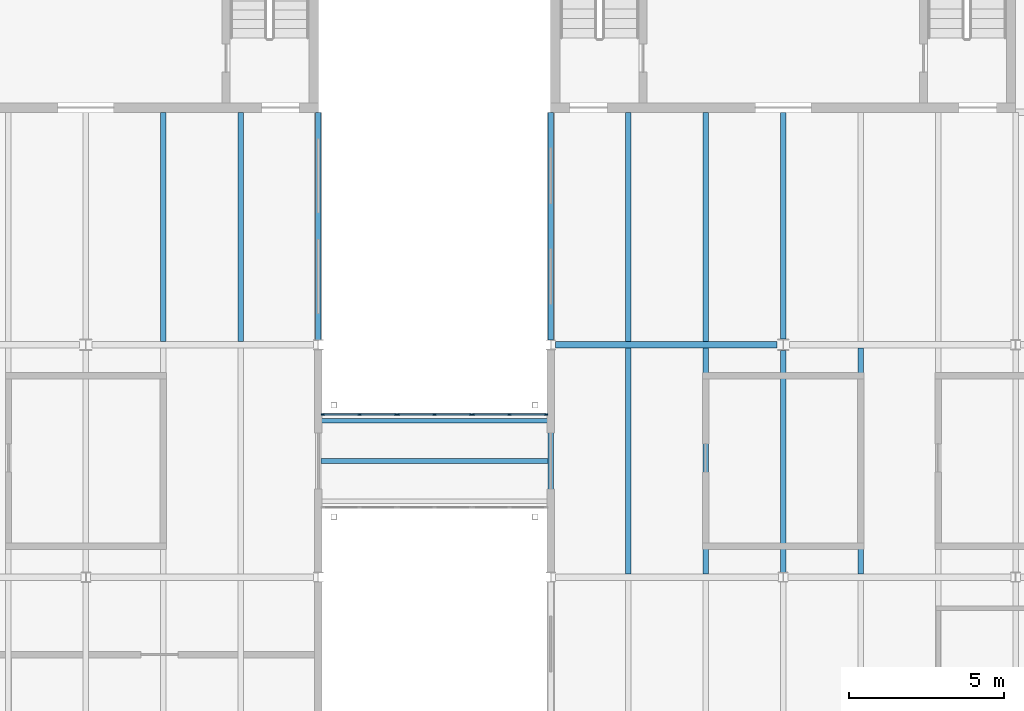
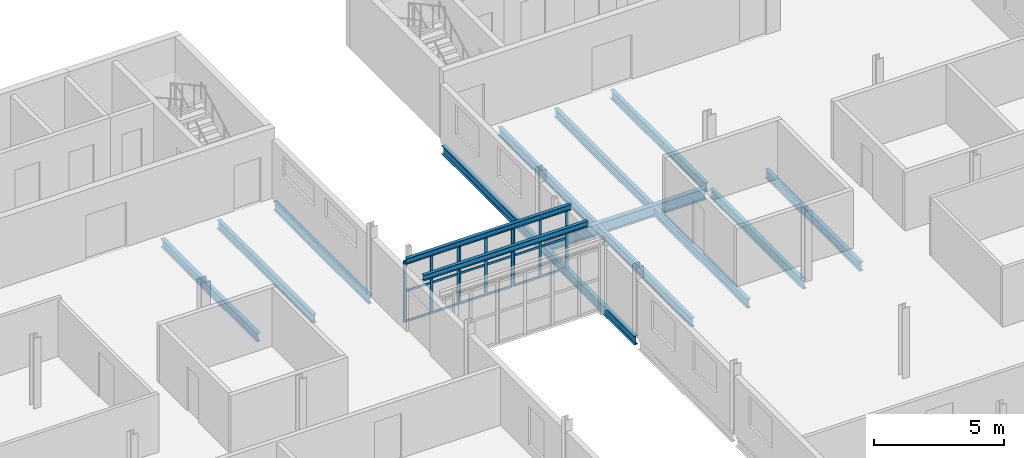
# One storey, part 51 of 214: 27 members, 15 beams, 3 elements without a shape of their own.
"""IFC4 building model written with IfcOpenShell, lengths in metres."""

from ifc_helpers import new_model, si_unit, direction, frame, origin, origin_2d, place, context, subcontext, project, spatial, rectangle, i_section, extrude, material, material_profile, profile_set, type_object, element, aggregate, save


model = new_model("IFC4")

# Units and contexts
model_context = context("Model", 3, precision=1e-05, world=origin(), true_north=direction((0.0, 1.0)))
body_context = subcontext(model_context, "Body", "Model", "MODEL_VIEW")
ifc_project = project(units=[si_unit("LENGTHUNIT", "METRE"), si_unit("AREAUNIT", "SQUARE_METRE"), si_unit("VOLUMEUNIT", "CUBIC_METRE"), si_unit("PLANEANGLEUNIT", "RADIAN"), si_unit("MASSUNIT", "GRAM", prefix="KILO")], contexts=[model_context])

# Site, building, storey
site_placement = place(None, origin())
site = spatial("IfcSite", under=ifc_project, at=site_placement, CompositionType="ELEMENT")
building_placement = place(site_placement, origin())
building = spatial("IfcBuilding", under=site, at=building_placement, Name="Parallax Yard Mobility Hub", CompositionType="ELEMENT")
storey_placement = place(building_placement, frame((0.0, 0.0, 3.300048828125)))
storey = spatial("IfcBuildingStorey", under=building, at=storey_placement, Name="L01", CompositionType="ELEMENT", Elevation=3.300048828125)

# Beams
ifc_material_1 = material(Name="Steel ASTM A992", Category="steel")
ifc_material_profile_1 = material_profile(ifc_material_1, i_section(OverallWidth=0.14794921875, OverallDepth=0.26611328125, WebThickness=0.007568359375, FlangeThickness=0.012939453125, at=origin_2d()), Name="W250x45")
ifc_profile_set_1 = profile_set([ifc_material_profile_1], Name="Steel ASTM A992")
beam_type_1 = type_object("IfcBeamType", Name="Bridge girder W250x45", PredefinedType="BEAM", material=ifc_profile_set_1)
for number, where, z_axis, x_axis, name in (
    (1, (142.589599609375, 33.75, 3.02685546875), (1.0, 0.0, 0.0), (0.0, 1.0, 0.0), "Bridge BR3 level L02 girder 2"),
    (2, (142.589599609375, 35.050048828125, 3.02685546875), (1.0, 0.0, 0.0), (0.0, 1.0, 0.0), "Bridge BR3 level L02 girder 3"),
):
    element("IfcBeam", number, at=place(storey_placement, frame(where, z_axis=z_axis, x_axis=x_axis)), inside=storey, type_object=beam_type_1, Name=name, PredefinedType="BEAM", context=body_context, shape_type="SweptSolid", body=[
        extrude(i_section(OverallWidth=0.14794921875, OverallDepth=0.26611328125, WebThickness=0.007568359375, FlangeThickness=0.012939453125, at=origin_2d()), origin(), (0.0, 0.0, 1.0), 7.32080078125),
    ])

# Curtain wall, members
ifc_material_2 = material(Name="Thermally broken aluminium curtain wall system", Category="aluminium")
curtain_wall_type = type_object("IfcCurtainWallType", Name="Bridge curtain wall run 50 x 120 frame", PredefinedType="NOTDEFINED", material=ifc_material_2)
curtain_wall_1_placement = place(storey_placement, origin())
curtain_wall_1 = element("IfcCurtainWall", 3, at=curtain_wall_1_placement, inside=storey, type_object=curtain_wall_type, Name="Curtain wall run bridge BR2 north side level L01", PredefinedType="NOTDEFINED")
ifc_material_3 = material(Name="Extruded aluminium", Category="aluminium")
ifc_material_profile_2 = material_profile(ifc_material_3, rectangle(XDim=0.050048828125, YDim=0.1201171875, at=origin_2d()), Name="Mullion 50 x 120")
ifc_profile_set_2 = profile_set([ifc_material_profile_2], Name="Extruded aluminium")
member_type_1 = type_object("IfcMemberType", Name="Mullion 50 x 120", PredefinedType="MULLION", material=ifc_profile_set_2)
member_1_placement = place(storey_placement, frame((142.64990234375, 35.25, 0.0), z_axis=(0.0, 0.0, 1.0), x_axis=(0.0, 1.0, 0.0)))
member_1 = element("IfcMember", 4, at=member_1_placement, type_object=member_type_1, Name="CW2 mullion 1", PredefinedType="MULLION", context=body_context, shape_type="SweptSolid", body=[
    extrude(rectangle(XDim=0.050048828125, YDim=0.1201171875, at=origin_2d()), origin(), (0.0, 0.0, 1.0), 2.89990234375),
])
member_2_placement = place(storey_placement, frame((143.833251953125, 35.25, 0.0), z_axis=(0.0, 0.0, 1.0), x_axis=(0.0, 1.0, 0.0)))
member_2 = element("IfcMember", 5, at=member_2_placement, type_object=member_type_1, Name="CW2 mullion 2", PredefinedType="MULLION", context=body_context, shape_type="SweptSolid", body=[
    extrude(rectangle(XDim=0.050048828125, YDim=0.1201171875, at=origin_2d()), origin(), (0.0, 0.0, 1.0), 2.89990234375),
])
member_3_placement = place(storey_placement, frame((145.0166015625, 35.25, 0.0), z_axis=(0.0, 0.0, 1.0), x_axis=(0.0, 1.0, 0.0)))
member_3 = element("IfcMember", 6, at=member_3_placement, type_object=member_type_1, Name="CW2 mullion 3", PredefinedType="MULLION", context=body_context, shape_type="SweptSolid", body=[
    extrude(rectangle(XDim=0.050048828125, YDim=0.1201171875, at=origin_2d()), origin(), (0.0, 0.0, 1.0), 2.89990234375),
])

curtain_wall_2_placement = place(storey_placement, origin())
curtain_wall_2 = element("IfcCurtainWall", 7, at=curtain_wall_2_placement, inside=storey, type_object=curtain_wall_type, Name="Curtain wall run bridge BR2 north side level L01", PredefinedType="NOTDEFINED")
member_4_placement = place(storey_placement, frame((145.066650390625, 35.25, 0.0), z_axis=(0.0, 0.0, 1.0), x_axis=(0.0, 1.0, 0.0)))
member_4 = element("IfcMember", 8, at=member_4_placement, type_object=member_type_1, Name="CW2 mullion 1", PredefinedType="MULLION", context=body_context, shape_type="SweptSolid", body=[
    extrude(rectangle(XDim=0.050048828125, YDim=0.1201171875, at=origin_2d()), origin(), (0.0, 0.0, 1.0), 2.89990234375),
])
member_5_placement = place(storey_placement, frame((146.25, 35.25, 0.0), z_axis=(0.0, 0.0, 1.0), x_axis=(0.0, 1.0, 0.0)))
member_5 = element("IfcMember", 9, at=member_5_placement, type_object=member_type_1, Name="CW2 mullion 2", PredefinedType="MULLION", context=body_context, shape_type="SweptSolid", body=[
    extrude(rectangle(XDim=0.050048828125, YDim=0.1201171875, at=origin_2d()), origin(), (0.0, 0.0, 1.0), 2.89990234375),
])
member_6_placement = place(storey_placement, frame((147.433349609375, 35.25, 0.0), z_axis=(0.0, 0.0, 1.0), x_axis=(0.0, 1.0, 0.0)))
member_6 = element("IfcMember", 10, at=member_6_placement, type_object=member_type_1, Name="CW2 mullion 3", PredefinedType="MULLION", context=body_context, shape_type="SweptSolid", body=[
    extrude(rectangle(XDim=0.050048828125, YDim=0.1201171875, at=origin_2d()), origin(), (0.0, 0.0, 1.0), 2.89990234375),
])

curtain_wall_3_placement = place(storey_placement, origin())
curtain_wall_3 = element("IfcCurtainWall", 11, at=curtain_wall_3_placement, inside=storey, type_object=curtain_wall_type, Name="Curtain wall run bridge BR2 north side level L01", PredefinedType="NOTDEFINED")
member_7_placement = place(storey_placement, frame((147.4833984375, 35.25, 0.0), z_axis=(0.0, 0.0, 1.0), x_axis=(0.0, 1.0, 0.0)))
member_7 = element("IfcMember", 12, at=member_7_placement, type_object=member_type_1, Name="CW2 mullion 1", PredefinedType="MULLION", context=body_context, shape_type="SweptSolid", body=[
    extrude(rectangle(XDim=0.050048828125, YDim=0.1201171875, at=origin_2d()), origin(), (0.0, 0.0, 1.0), 2.89990234375),
])
member_8_placement = place(storey_placement, frame((148.666748046875, 35.25, 0.0), z_axis=(0.0, 0.0, 1.0), x_axis=(0.0, 1.0, 0.0)))
member_8 = element("IfcMember", 13, at=member_8_placement, type_object=member_type_1, Name="CW2 mullion 2", PredefinedType="MULLION", context=body_context, shape_type="SweptSolid", body=[
    extrude(rectangle(XDim=0.050048828125, YDim=0.1201171875, at=origin_2d()), origin(), (0.0, 0.0, 1.0), 2.89990234375),
])
member_9_placement = place(storey_placement, frame((149.85009765625, 35.25, 0.0), z_axis=(0.0, 0.0, 1.0), x_axis=(0.0, 1.0, 0.0)))
member_9 = element("IfcMember", 14, at=member_9_placement, type_object=member_type_1, Name="CW2 mullion 3", PredefinedType="MULLION", context=body_context, shape_type="SweptSolid", body=[
    extrude(rectangle(XDim=0.050048828125, YDim=0.1201171875, at=origin_2d()), origin(), (0.0, 0.0, 1.0), 2.89990234375),
])

# Member
ifc_material_profile_3 = material_profile(ifc_material_3, rectangle(XDim=0.050048828125, YDim=0.10009765625, at=origin_2d()), Name="Transom 50 x 100")
ifc_profile_set_3 = profile_set([ifc_material_profile_3], Name="Extruded aluminium")
member_type_2 = type_object("IfcMemberType", Name="Transom 50 x 100", PredefinedType="USERDEFINED", material=ifc_profile_set_3)
member_10_placement = place(storey_placement, frame((142.675048828125, 35.25, 0.02490234375), z_axis=(1.0, 0.0, 0.0), x_axis=(0.0, 1.0, 0.0)))
member_10 = element("IfcMember", 15, at=member_10_placement, type_object=member_type_2, Name="CW2 transom 1.1", ObjectType="TRANSOM", PredefinedType="USERDEFINED", context=body_context, shape_type="SweptSolid", body=[
    extrude(rectangle(XDim=0.050048828125, YDim=0.10009765625, at=origin_2d()), origin(), (0.0, 0.0, 1.0), 1.13330078125),
])

member_11_placement = place(storey_placement, frame((142.675048828125, 35.25, 1.449951171875), z_axis=(1.0, 0.0, 0.0), x_axis=(0.0, 1.0, 0.0)))
member_11 = element("IfcMember", 16, at=member_11_placement, type_object=member_type_2, Name="CW2 transom 1.2", ObjectType="TRANSOM", PredefinedType="USERDEFINED", context=body_context, shape_type="SweptSolid", body=[
    extrude(rectangle(XDim=0.050048828125, YDim=0.10009765625, at=origin_2d()), origin(), (0.0, 0.0, 1.0), 1.13330078125),
])

member_12_placement = place(storey_placement, frame((142.675048828125, 35.25, 2.875), z_axis=(1.0, 0.0, 0.0), x_axis=(0.0, 1.0, 0.0)))
member_12 = element("IfcMember", 17, at=member_12_placement, type_object=member_type_2, Name="CW2 transom 1.3", ObjectType="TRANSOM", PredefinedType="USERDEFINED", context=body_context, shape_type="SweptSolid", body=[
    extrude(rectangle(XDim=0.050048828125, YDim=0.10009765625, at=origin_2d()), origin(), (0.0, 0.0, 1.0), 1.13330078125),
])

member_13_placement = place(storey_placement, frame((143.8583984375, 35.25, 0.02490234375), z_axis=(1.0, 0.0, 0.0), x_axis=(0.0, 1.0, 0.0)))
member_13 = element("IfcMember", 18, at=member_13_placement, type_object=member_type_2, Name="CW2 transom 2.1", ObjectType="TRANSOM", PredefinedType="USERDEFINED", context=body_context, shape_type="SweptSolid", body=[
    extrude(rectangle(XDim=0.050048828125, YDim=0.10009765625, at=origin_2d()), origin(), (0.0, 0.0, 1.0), 1.13330078125),
])

member_14_placement = place(storey_placement, frame((143.8583984375, 35.25, 1.449951171875), z_axis=(1.0, 0.0, 0.0), x_axis=(0.0, 1.0, 0.0)))
member_14 = element("IfcMember", 19, at=member_14_placement, type_object=member_type_2, Name="CW2 transom 2.2", ObjectType="TRANSOM", PredefinedType="USERDEFINED", context=body_context, shape_type="SweptSolid", body=[
    extrude(rectangle(XDim=0.050048828125, YDim=0.10009765625, at=origin_2d()), origin(), (0.0, 0.0, 1.0), 1.13330078125),
])

member_15_placement = place(storey_placement, frame((143.8583984375, 35.25, 2.875), z_axis=(1.0, 0.0, 0.0), x_axis=(0.0, 1.0, 0.0)))
member_15 = element("IfcMember", 20, at=member_15_placement, type_object=member_type_2, Name="CW2 transom 2.3", ObjectType="TRANSOM", PredefinedType="USERDEFINED", context=body_context, shape_type="SweptSolid", body=[
    extrude(rectangle(XDim=0.050048828125, YDim=0.10009765625, at=origin_2d()), origin(), (0.0, 0.0, 1.0), 1.13330078125),
])

aggregate(curtain_wall_1, [member_1, member_2, member_3, member_10, member_11, member_12, member_13, member_14, member_15])

member_16_placement = place(storey_placement, frame((145.091796875, 35.25, 0.02490234375), z_axis=(1.0, 0.0, 0.0), x_axis=(0.0, 1.0, 0.0)))
member_16 = element("IfcMember", 21, at=member_16_placement, type_object=member_type_2, Name="CW2 transom 1.1", ObjectType="TRANSOM", PredefinedType="USERDEFINED", context=body_context, shape_type="SweptSolid", body=[
    extrude(rectangle(XDim=0.050048828125, YDim=0.10009765625, at=origin_2d()), origin(), (0.0, 0.0, 1.0), 1.13330078125),
])

member_17_placement = place(storey_placement, frame((145.091796875, 35.25, 1.449951171875), z_axis=(1.0, 0.0, 0.0), x_axis=(0.0, 1.0, 0.0)))
member_17 = element("IfcMember", 22, at=member_17_placement, type_object=member_type_2, Name="CW2 transom 1.2", ObjectType="TRANSOM", PredefinedType="USERDEFINED", context=body_context, shape_type="SweptSolid", body=[
    extrude(rectangle(XDim=0.050048828125, YDim=0.10009765625, at=origin_2d()), origin(), (0.0, 0.0, 1.0), 1.13330078125),
])

member_18_placement = place(storey_placement, frame((145.091796875, 35.25, 2.875), z_axis=(1.0, 0.0, 0.0), x_axis=(0.0, 1.0, 0.0)))
member_18 = element("IfcMember", 23, at=member_18_placement, type_object=member_type_2, Name="CW2 transom 1.3", ObjectType="TRANSOM", PredefinedType="USERDEFINED", context=body_context, shape_type="SweptSolid", body=[
    extrude(rectangle(XDim=0.050048828125, YDim=0.10009765625, at=origin_2d()), origin(), (0.0, 0.0, 1.0), 1.13330078125),
])

member_19_placement = place(storey_placement, frame((146.27490234375, 35.25, 0.02490234375), z_axis=(1.0, 0.0, 0.0), x_axis=(0.0, 1.0, 0.0)))
member_19 = element("IfcMember", 24, at=member_19_placement, type_object=member_type_2, Name="CW2 transom 2.1", ObjectType="TRANSOM", PredefinedType="USERDEFINED", context=body_context, shape_type="SweptSolid", body=[
    extrude(rectangle(XDim=0.050048828125, YDim=0.10009765625, at=origin_2d()), origin(), (0.0, 0.0, 1.0), 1.13330078125),
])

member_20_placement = place(storey_placement, frame((146.27490234375, 35.25, 1.449951171875), z_axis=(1.0, 0.0, 0.0), x_axis=(0.0, 1.0, 0.0)))
member_20 = element("IfcMember", 25, at=member_20_placement, type_object=member_type_2, Name="CW2 transom 2.2", ObjectType="TRANSOM", PredefinedType="USERDEFINED", context=body_context, shape_type="SweptSolid", body=[
    extrude(rectangle(XDim=0.050048828125, YDim=0.10009765625, at=origin_2d()), origin(), (0.0, 0.0, 1.0), 1.13330078125),
])

member_21_placement = place(storey_placement, frame((146.27490234375, 35.25, 2.875), z_axis=(1.0, 0.0, 0.0), x_axis=(0.0, 1.0, 0.0)))
member_21 = element("IfcMember", 26, at=member_21_placement, type_object=member_type_2, Name="CW2 transom 2.3", ObjectType="TRANSOM", PredefinedType="USERDEFINED", context=body_context, shape_type="SweptSolid", body=[
    extrude(rectangle(XDim=0.050048828125, YDim=0.10009765625, at=origin_2d()), origin(), (0.0, 0.0, 1.0), 1.13330078125),
])

aggregate(curtain_wall_2, [member_4, member_5, member_6, member_16, member_17, member_18, member_19, member_20, member_21])

member_22_placement = place(storey_placement, frame((147.50830078125, 35.25, 0.02490234375), z_axis=(1.0, 0.0, 0.0), x_axis=(0.0, 1.0, 0.0)))
member_22 = element("IfcMember", 27, at=member_22_placement, type_object=member_type_2, Name="CW2 transom 1.1", ObjectType="TRANSOM", PredefinedType="USERDEFINED", context=body_context, shape_type="SweptSolid", body=[
    extrude(rectangle(XDim=0.050048828125, YDim=0.10009765625, at=origin_2d()), origin(), (0.0, 0.0, 1.0), 1.13330078125),
])

member_23_placement = place(storey_placement, frame((147.50830078125, 35.25, 1.449951171875), z_axis=(1.0, 0.0, 0.0), x_axis=(0.0, 1.0, 0.0)))
member_23 = element("IfcMember", 28, at=member_23_placement, type_object=member_type_2, Name="CW2 transom 1.2", ObjectType="TRANSOM", PredefinedType="USERDEFINED", context=body_context, shape_type="SweptSolid", body=[
    extrude(rectangle(XDim=0.050048828125, YDim=0.10009765625, at=origin_2d()), origin(), (0.0, 0.0, 1.0), 1.13330078125),
])

member_24_placement = place(storey_placement, frame((147.50830078125, 35.25, 2.875), z_axis=(1.0, 0.0, 0.0), x_axis=(0.0, 1.0, 0.0)))
member_24 = element("IfcMember", 29, at=member_24_placement, type_object=member_type_2, Name="CW2 transom 1.3", ObjectType="TRANSOM", PredefinedType="USERDEFINED", context=body_context, shape_type="SweptSolid", body=[
    extrude(rectangle(XDim=0.050048828125, YDim=0.10009765625, at=origin_2d()), origin(), (0.0, 0.0, 1.0), 1.13330078125),
])

member_25_placement = place(storey_placement, frame((148.691650390625, 35.25, 0.02490234375), z_axis=(1.0, 0.0, 0.0), x_axis=(0.0, 1.0, 0.0)))
member_25 = element("IfcMember", 30, at=member_25_placement, type_object=member_type_2, Name="CW2 transom 2.1", ObjectType="TRANSOM", PredefinedType="USERDEFINED", context=body_context, shape_type="SweptSolid", body=[
    extrude(rectangle(XDim=0.050048828125, YDim=0.10009765625, at=origin_2d()), origin(), (0.0, 0.0, 1.0), 1.13330078125),
])

member_26_placement = place(storey_placement, frame((148.691650390625, 35.25, 1.449951171875), z_axis=(1.0, 0.0, 0.0), x_axis=(0.0, 1.0, 0.0)))
member_26 = element("IfcMember", 31, at=member_26_placement, type_object=member_type_2, Name="CW2 transom 2.2", ObjectType="TRANSOM", PredefinedType="USERDEFINED", context=body_context, shape_type="SweptSolid", body=[
    extrude(rectangle(XDim=0.050048828125, YDim=0.10009765625, at=origin_2d()), origin(), (0.0, 0.0, 1.0), 1.13330078125),
])

member_27_placement = place(storey_placement, frame((148.691650390625, 35.25, 2.875), z_axis=(1.0, 0.0, 0.0), x_axis=(0.0, 1.0, 0.0)))
member_27 = element("IfcMember", 32, at=member_27_placement, type_object=member_type_2, Name="CW2 transom 2.3", ObjectType="TRANSOM", PredefinedType="USERDEFINED", context=body_context, shape_type="SweptSolid", body=[
    extrude(rectangle(XDim=0.050048828125, YDim=0.10009765625, at=origin_2d()), origin(), (0.0, 0.0, 1.0), 1.13330078125),
])

aggregate(curtain_wall_3, [member_7, member_8, member_9, member_22, member_23, member_24, member_25, member_26, member_27])

# Beams
ifc_material_profile_4 = material_profile(ifc_material_1, i_section(OverallWidth=0.177978515625, OverallDepth=0.406005859375, WebThickness=0.0078125, FlangeThickness=0.0126953125, FilletRadius=0.01025390625, at=origin_2d()), Name="W410x60")
ifc_profile_set_4 = profile_set([ifc_material_profile_4], Name="Steel ASTM A992")
beam_type_2 = type_object("IfcBeamType", Name="W410x60 secondary beam", PredefinedType="JOIST", material=ifc_profile_set_4)
beam_1_placement = place(storey_placement, frame((152.5, 30.1044921875, -0.343017578125), z_axis=(0.0, 1.0, 0.0), x_axis=(-1.0, 0.0, 0.0)))
element("IfcBeam", 33, at=beam_1_placement, inside=storey, type_object=beam_type_2, Name="Secondary beam B1 level L01, 2.5 m east of line 21 of bicycle and shared-mobility hall, span 4", PredefinedType="JOIST", context=body_context, shape_type="SweptSolid", body=[
    extrude(i_section(OverallWidth=0.177978515625, OverallDepth=0.406005859375, WebThickness=0.0078125, FlangeThickness=0.0126953125, FilletRadius=0.01025390625, at=origin_2d()), origin(), (0.0, 0.0, 1.0), 7.291015625),
])
beam_2_placement = place(storey_placement, frame((152.5, 37.6044921875, -0.343017578125), z_axis=(0.0, 1.0, 0.0), x_axis=(-1.0, 0.0, 0.0)))
element("IfcBeam", 34, at=beam_2_placement, inside=storey, type_object=beam_type_2, Name="Secondary beam B1 level L01, 2.5 m east of line 21 of bicycle and shared-mobility hall, span 5", PredefinedType="JOIST", context=body_context, shape_type="SweptSolid", body=[
    extrude(i_section(OverallWidth=0.177978515625, OverallDepth=0.406005859375, WebThickness=0.0078125, FlangeThickness=0.0126953125, FilletRadius=0.01025390625, at=origin_2d()), origin(), (0.0, 0.0, 1.0), 7.3955078125),
])
for number, where, z_axis, x_axis, name in (
    (35, (160.0, 30.1044921875, -0.343017578125), (0.0, 1.0, 0.0), (-1.0, 0.0, 0.0), "Secondary beam B1 level L01, 2.5 m east of line 22 of bicycle and shared-mobility hall, span 4"),
    (36, (155.0, 30.1044921875, -0.343017578125), (0.0, 1.0, 0.0), (-1.0, 0.0, 0.0), "Secondary beam B1 level L01, 5 m east of line 21 of bicycle and shared-mobility hall, span 4"),
):
    element("IfcBeam", number, at=place(storey_placement, frame(where, z_axis=z_axis, x_axis=x_axis)), inside=storey, type_object=beam_type_2, Name=name, PredefinedType="JOIST", context=body_context, shape_type="SweptSolid", body=[
        extrude(i_section(OverallWidth=0.177978515625, OverallDepth=0.406005859375, WebThickness=0.0078125, FlangeThickness=0.0126953125, FilletRadius=0.01025390625, at=origin_2d()), origin(), (0.0, 0.0, 1.0), 7.291015625),
    ])
for number, where, z_axis, x_axis, name in (
    (37, (155.0, 37.6044921875, -0.343017578125), (0.0, 1.0, 0.0), (-1.0, 0.0, 0.0), "Secondary beam B1 level L01, 5 m east of line 21 of bicycle and shared-mobility hall, span 5"),
    (38, (137.5, 37.6044921875, -0.343017578125), (0.0, 1.0, 0.0), (-1.0, 0.0, 0.0), "Secondary beam B1 level L01, 2.5 m east of line 19 of mobility service centre and workshops, span 5"),
    (39, (140.0, 37.6044921875, -0.343017578125), (0.0, 1.0, 0.0), (-1.0, 0.0, 0.0), "Secondary beam B1 level L01, 5 m east of line 19 of mobility service centre and workshops, span 5"),
):
    element("IfcBeam", number, at=place(storey_placement, frame(where, z_axis=z_axis, x_axis=x_axis)), inside=storey, type_object=beam_type_2, Name=name, PredefinedType="JOIST", context=body_context, shape_type="SweptSolid", body=[
        extrude(i_section(OverallWidth=0.177978515625, OverallDepth=0.406005859375, WebThickness=0.0078125, FlangeThickness=0.0126953125, FilletRadius=0.01025390625, at=origin_2d()), origin(), (0.0, 0.0, 1.0), 7.3955078125),
    ])
ifc_material_profile_5 = material_profile(ifc_material_1, i_section(OverallWidth=0.178955078125, OverallDepth=0.408935546875, WebThickness=0.0087890625, FlangeThickness=0.014404296875, FilletRadius=0.01025390625, at=origin_2d()), Name="W410x67")
ifc_profile_set_5 = profile_set([ifc_material_profile_5], Name="Steel ASTM A992")
beam_type_3 = type_object("IfcBeamType", Name="W410x67 edge beam", PredefinedType="SPANDREL", material=ifc_profile_set_5)
beam_3_placement = place(storey_placement, frame((150.0, 30.153564453125, -0.344482421875), z_axis=(0.0, 1.0, 0.0), x_axis=(-1.0, 0.0, 0.0)))
element("IfcBeam", 40, at=beam_3_placement, inside=storey, type_object=beam_type_3, Name="Edge beam SB3 level L01, line 21 of bicycle and shared-mobility hall, span 4", PredefinedType="SPANDREL", context=body_context, shape_type="SweptSolid", body=[
    extrude(i_section(OverallWidth=0.178955078125, OverallDepth=0.408935546875, WebThickness=0.0087890625, FlangeThickness=0.014404296875, FilletRadius=0.01025390625, at=origin_2d()), origin(), (0.0, 0.0, 1.0), 7.1875),
])
beam_4_placement = place(storey_placement, frame((150.0, 37.658935546875, -0.344482421875), z_axis=(0.0, 1.0, 0.0), x_axis=(-1.0, 0.0, 0.0)))
element("IfcBeam", 41, at=beam_4_placement, inside=storey, type_object=beam_type_3, Name="Edge beam SB3 level L01, line 21 of bicycle and shared-mobility hall, span 5", PredefinedType="SPANDREL", context=body_context, shape_type="SweptSolid", body=[
    extrude(i_section(OverallWidth=0.178955078125, OverallDepth=0.408935546875, WebThickness=0.0087890625, FlangeThickness=0.014404296875, FilletRadius=0.01025390625, at=origin_2d()), origin(), (0.0, 0.0, 1.0), 7.341064453125),
])
beam_5_placement = place(storey_placement, frame((142.5, 37.66162109375, -0.344482421875), z_axis=(0.0, 1.0, 0.0), x_axis=(-1.0, 0.0, 0.0)))
element("IfcBeam", 42, at=beam_5_placement, inside=storey, type_object=beam_type_3, Name="Edge beam SB3 level L01, line 20 of mobility service centre and workshops, span 5", PredefinedType="SPANDREL", context=body_context, shape_type="SweptSolid", body=[
    extrude(i_section(OverallWidth=0.178955078125, OverallDepth=0.408935546875, WebThickness=0.0087890625, FlangeThickness=0.014404296875, FilletRadius=0.01025390625, at=origin_2d()), origin(), (0.0, 0.0, 1.0), 7.33837890625),
])
ifc_material_profile_6 = material_profile(ifc_material_1, i_section(OverallWidth=0.178955078125, OverallDepth=0.408935546875, WebThickness=0.0087890625, FlangeThickness=0.014404296875, FilletRadius=0.01025390625, at=origin_2d()), Name="W410x67")
ifc_profile_set_6 = profile_set([ifc_material_profile_6], Name="Steel ASTM A992")
beam_type_4 = type_object("IfcBeamType", Name="W410x67 girder", PredefinedType="BEAM", material=ifc_profile_set_6)
beam_6_placement = place(storey_placement, frame((157.5, 30.153564453125, -0.344482421875), z_axis=(0.0, 1.0, 0.0), x_axis=(-1.0, 0.0, 0.0)))
element("IfcBeam", 43, at=beam_6_placement, inside=storey, type_object=beam_type_4, Name="Girder G1 level L01, line 22 of bicycle and shared-mobility hall, span 4", PredefinedType="BEAM", context=body_context, shape_type="SweptSolid", body=[
    extrude(i_section(OverallWidth=0.178955078125, OverallDepth=0.408935546875, WebThickness=0.0087890625, FlangeThickness=0.014404296875, FilletRadius=0.01025390625, at=origin_2d()), origin(), (0.0, 0.0, 1.0), 7.158447265625),
])
beam_7_placement = place(storey_placement, frame((157.5, 37.68798828125, -0.344482421875), z_axis=(0.0, 1.0, 0.0), x_axis=(-1.0, 0.0, 0.0)))
element("IfcBeam", 44, at=beam_7_placement, inside=storey, type_object=beam_type_4, Name="Girder G1 level L01, line 22 of bicycle and shared-mobility hall, span 5", PredefinedType="BEAM", context=body_context, shape_type="SweptSolid", body=[
    extrude(i_section(OverallWidth=0.178955078125, OverallDepth=0.408935546875, WebThickness=0.0087890625, FlangeThickness=0.014404296875, FilletRadius=0.01025390625, at=origin_2d()), origin(), (0.0, 0.0, 1.0), 7.31201171875),
])
ifc_material_profile_7 = material_profile(ifc_material_1, i_section(OverallWidth=0.208984375, OverallDepth=0.532958984375, WebThickness=0.01025390625, FlangeThickness=0.015625, FilletRadius=0.0126953125, at=origin_2d()), Name="W530x92")
ifc_profile_set_7 = profile_set([ifc_material_profile_7], Name="Steel ASTM A992")
beam_type_5 = type_object("IfcBeamType", Name="W530x92 longitudinal beam", PredefinedType="BEAM", material=ifc_profile_set_7)
beam_8_placement = place(storey_placement, frame((150.153564453125, 37.5, -0.406494140625), z_axis=(1.0, 0.0, 0.0), x_axis=(0.0, 1.0, 0.0)))
element("IfcBeam", 45, at=beam_8_placement, inside=storey, type_object=beam_type_5, Name="Longitudinal beam SB6 level L01, line F of bicycle and shared-mobility hall, span 1", PredefinedType="BEAM", context=body_context, shape_type="SweptSolid", body=[
    extrude(i_section(OverallWidth=0.208984375, OverallDepth=0.532958984375, WebThickness=0.01025390625, FlangeThickness=0.015625, FilletRadius=0.0126953125, at=origin_2d()), origin(), (0.0, 0.0, 1.0), 7.1494140625),
])

save(model, "model.ifc")
